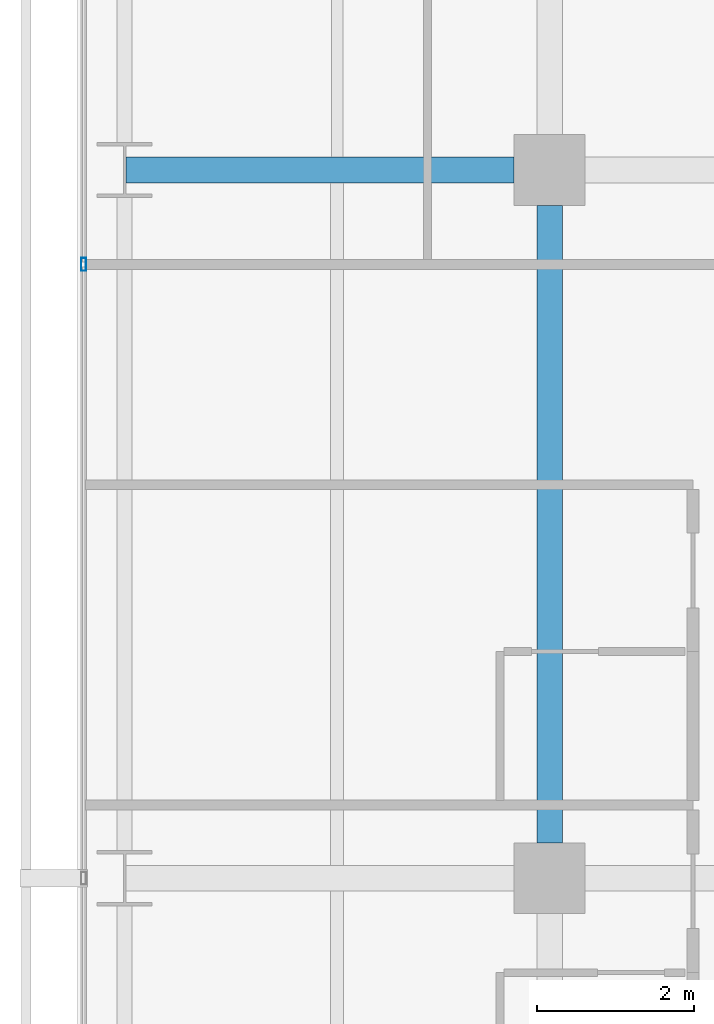
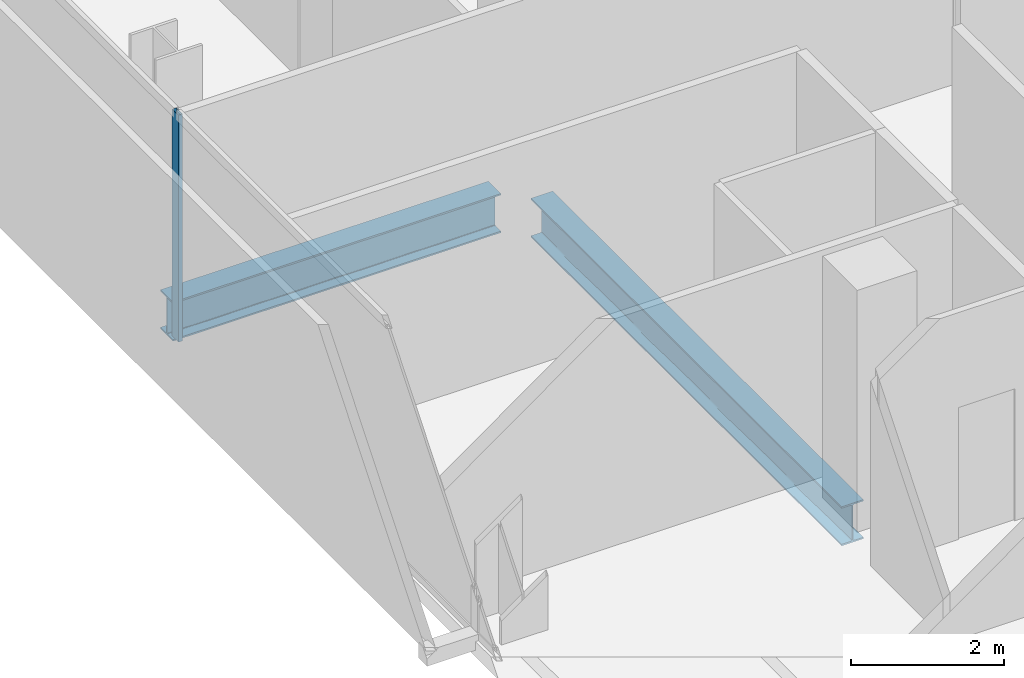
# One storey, part 21 of 40: 2 beams, 1 member, 1 element without a shape of its own.
"""IFC4 building model written with IfcOpenShell, lengths in metres."""

from ifc_helpers import new_model, si_unit, direction, frame, origin, origin_2d, place, context, subcontext, project, spatial, hollow_rectangle, i_section, extrude, material, layer, layer_set, material_profile, profile_set, type_object, element, aggregate, save


model = new_model("IFC4")

# Units and contexts
model_context = context("Model", 3, precision=1e-05, world=origin(), true_north=direction((0.0, 1.0)))
body_context = subcontext(model_context, "Body", "Model", "MODEL_VIEW")
ifc_project = project(units=[si_unit("LENGTHUNIT", "METRE"), si_unit("AREAUNIT", "SQUARE_METRE"), si_unit("VOLUMEUNIT", "CUBIC_METRE"), si_unit("PLANEANGLEUNIT", "RADIAN"), si_unit("MASSUNIT", "GRAM", prefix="KILO")], contexts=[model_context])

# Site, building, storey
site_placement = place(None, origin())
site = spatial("IfcSite", under=ifc_project, at=site_placement, CompositionType="ELEMENT")
building_placement = place(site_placement, origin())
building = spatial("IfcBuilding", under=site, at=building_placement, Name="Maruvema Waterfront Hotel and Observation Tower", CompositionType="ELEMENT")
storey_placement = place(building_placement, frame((0.0, 0.0, 53.89990234375)))
storey = spatial("IfcBuildingStorey", under=building, at=storey_placement, Name="L12", CompositionType="ELEMENT", Elevation=53.89990234375)

# Curtain wall, member
ifc_material_1 = material(Name="Anodised bronze aluminium and solar-control low-E IGU", Category="aluminium")
ifc_layer = layer(ifc_material_1, 0.159912109375, Name="Zone 1 Bronze Inner Thermal Curtain Wall System CW-02")
ifc_layer_set = layer_set([ifc_layer], Name="Anodised bronze aluminium and solar-control low-E IGU")
curtain_wall_type = type_object("IfcCurtainWallType", Name="Zone 1 Bronze Inner Thermal Curtain Wall System CW-02", PredefinedType="USERDEFINED", material=ifc_layer_set)
curtain_wall_placement = place(storey_placement, origin())
curtain_wall = element("IfcCurtainWall", 1, at=curtain_wall_placement, inside=storey, type_object=curtain_wall_type, Name="L12 Curtain Wall CW-L12-W", ObjectType="UNITISED CURTAIN WALL", PredefinedType="USERDEFINED")
ifc_material_2 = material(Name="Anodised architectural bronze aluminium", Category="aluminium")
ifc_material_profile_1 = material_profile(ifc_material_2, hollow_rectangle(XDim=0.06494140625, YDim=0.1650390625, WallThickness=0.00390625, at=origin_2d()), Name="ALU-M65x165")
ifc_profile_set_1 = profile_set([ifc_material_profile_1], Name="Anodised architectural bronze aluminium")
member_type = type_object("IfcMemberType", Name="Curtain Wall Primary Mullion ALU-M65x165", PredefinedType="MULLION", material=ifc_profile_set_1)
member_placement = place(storey_placement, frame((10.8798828125, 34.800048828125, 0.0), z_axis=(0.0, 0.0, 1.0), x_axis=(1.0, 0.0, 0.0)))
member = element("IfcMember", 2, at=member_placement, type_object=member_type, Name="CW-02 mullion 3", PredefinedType="MULLION", context=body_context, shape_type="SweptSolid", body=[
    extrude(hollow_rectangle(XDim=0.06494140625, YDim=0.1650390625, WallThickness=0.00390625, at=origin_2d()), origin(), (0.0, 0.0, 1.0), 3.610107421875),
])
aggregate(curtain_wall, [member])

# Beams
ifc_material_3 = material(Name="Steel ASTM A572 Grade 50", Category="steel")
ifc_material_profile_2 = material_profile(ifc_material_3, i_section(OverallWidth=0.326904296875, OverallDepth=0.6220703125, WebThickness=0.015380859375, FlangeThickness=0.0244140625, FilletRadius=0.01806640625, at=origin_2d()), Name="W610x195.0")
ifc_profile_set_2 = profile_set([ifc_material_profile_2], Name="Steel ASTM A572 Grade 50")
beam_type = type_object("IfcBeamType", Name="Primary Floor Girder W610x195.0", PredefinedType="BEAM", material=ifc_profile_set_2)
beam_1_placement = place(storey_placement, frame((11.4140625, 36.0, -0.55078125), z_axis=(1.0, 0.0, 0.0), x_axis=(0.0, 1.0, 0.0)))
element("IfcBeam", 3, at=beam_1_placement, inside=storey, type_object=beam_type, Name="L12 Floor Girder EW-25", PredefinedType="BEAM", context=body_context, shape_type="SweptSolid", body=[
    extrude(i_section(OverallWidth=0.326904296875, OverallDepth=0.6220703125, WebThickness=0.015380859375, FlangeThickness=0.0244140625, FilletRadius=0.01806640625, at=origin_2d()), origin(), (0.0, 0.0, 1.0), 4.93603515625),
])
beam_2_placement = place(storey_placement, frame((16.800048828125, 27.449951171875, -0.55078125), z_axis=(0.0, 1.0, 0.0), x_axis=(-1.0, 0.0, 0.0)))
element("IfcBeam", 4, at=beam_2_placement, inside=storey, type_object=beam_type, Name="L12 Floor Girder NS-08", PredefinedType="BEAM", context=body_context, shape_type="SweptSolid", body=[
    extrude(i_section(OverallWidth=0.326904296875, OverallDepth=0.6220703125, WebThickness=0.015380859375, FlangeThickness=0.0244140625, FilletRadius=0.01806640625, at=origin_2d()), origin(), (0.0, 0.0, 1.0), 8.10009765625),
])

save(model, "model.ifc")
